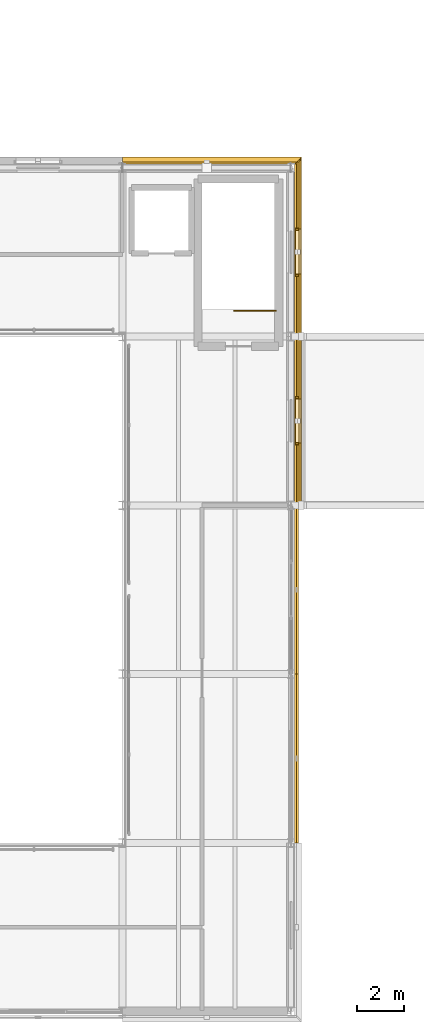
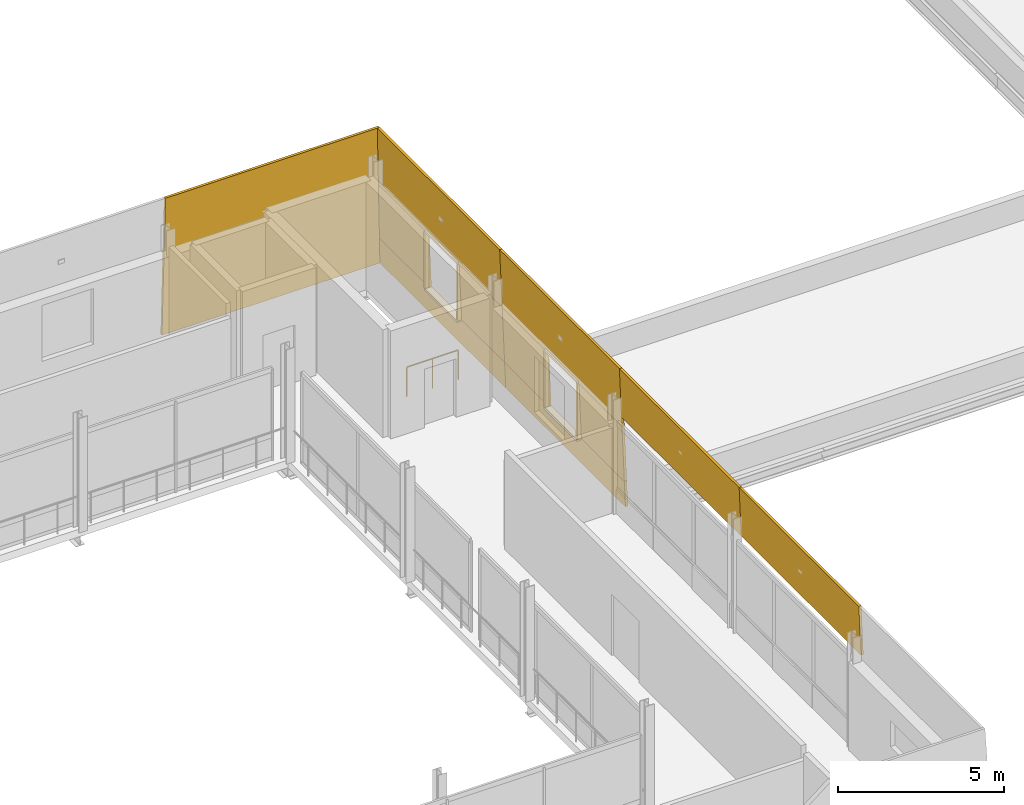
# One storey, part 88 of 91: 19 coverings, 1 railing.
"""IFC4 building model written with IfcOpenShell, lengths in metres."""

from ifc_helpers import new_model, si_unit, direction, frame, origin, origin_2d, place, context, subcontext, project, spatial, polyline, circle, outline, extrude, material, layer, layer_set, type_object, element, save


model = new_model("IFC4")

# Units and contexts
model_context = context("Model", 3, precision=1e-05, world=origin(), true_north=direction((0.0, 1.0)))
body_context = subcontext(model_context, "Body", "Model", "MODEL_VIEW")
ifc_project = project(units=[si_unit("LENGTHUNIT", "METRE"), si_unit("AREAUNIT", "SQUARE_METRE"), si_unit("VOLUMEUNIT", "CUBIC_METRE"), si_unit("PLANEANGLEUNIT", "RADIAN"), si_unit("MASSUNIT", "GRAM", prefix="KILO")], contexts=[model_context])

# Site, building, storey
site_placement = place(None, origin())
site = spatial("IfcSite", under=ifc_project, at=site_placement, CompositionType="ELEMENT")
building_placement = place(site_placement, origin())
building = spatial("IfcBuilding", under=site, at=building_placement, Name="Narikvali Park Central Library", CompositionType="ELEMENT")
storey_placement = place(building_placement, frame((0.0, 0.0, 14.39990234375)))
storey = spatial("IfcBuildingStorey", under=building, at=storey_placement, Name="L03", CompositionType="ELEMENT", Elevation=14.39990234375)

# Coverings
ifc_material_1 = material(Name="White Honed Limestone Cladding", Category="masonry")
ifc_layer_1 = layer(ifc_material_1, 0.0849609375, Name="White Honed Limestone Cladding")
ifc_layer_set_1 = layer_set([ifc_layer_1], Name="White Honed Limestone Cladding")
covering_type_1 = type_object("IfcCoveringType", Name="Battered White Limestone Facade Cladding Panel", PredefinedType="CLADDING", material=ifc_layer_set_1)
for number, where, z_axis, x_axis, name in (
    (1, (101.114013671875, 64.800048828125, 3.340087890625), (0.999165922357, 0.0, 0.040834539314), (0.0, 1.0, 0.0), "V1 L03 E Battered Limestone Spandrel Header B02"),
    (2, (101.114013671875, 72.0, 3.340087890625), (0.999165922357, 0.0, 0.040834539314), (0.0, 1.0, 0.0), "V1 L03 E Battered Limestone Spandrel Header B03"),
):
    element("IfcCovering", number, at=place(storey_placement, frame(where, z_axis=z_axis, x_axis=x_axis)), inside=storey, type_object=covering_type_1, Name=name, PredefinedType="CLADDING", context=body_context, shape_type="SweptSolid", body=[
        extrude(outline(polyline([(0.0, 0.0), (7.199951171875, 0.0), (7.199951171875, 1.8115695834387404), (0.0, 1.8115695834387404), (0.0, 0.0)])), origin(), (0.0, 0.0, -1.0), 0.0849609375),
    ])
covering_1_placement = place(storey_placement, frame((101.250732421875, 79.199951171875, 0.0), z_axis=(0.999166557991, 0.0, 0.040818983227), x_axis=(0.0, 1.0, 0.0)))
element("IfcCovering", 3, at=covering_1_placement, inside=storey, type_object=covering_type_1, Name="V1 L03 E Battered Limestone Spandrel B04", PredefinedType="CLADDING", context=body_context, shape_type="SweptSolid", body=[
    extrude(outline(polyline([(0.0, 0.0), (7.199951171875, 0.0), (7.199951171875, 0.9509879057703833), (0.0, 0.9509879057703833), (0.0, 0.0)])), origin(), (0.0, 0.0, -1.0), 0.0849609375),
])
covering_2_placement = place(storey_placement, frame((101.1279296875, 79.199951171875, 3.0), z_axis=(0.999165598292, 0.0, 0.040842467967), x_axis=(0.0, 1.0, 0.0)))
element("IfcCovering", 4, at=covering_2_placement, inside=storey, type_object=covering_type_1, Name="V1 L03 E Battered Limestone Lintel B04", PredefinedType="CLADDING", context=body_context, shape_type="SweptSolid", body=[
    extrude(outline(polyline([(0.0, 0.0), (7.199951171875, 0.0), (7.199951171875, 2.1519420685123154), (0.0, 2.1519420685123154), (0.0, 0.0)])), origin(), (0.0, 0.0, -1.0), 0.0849609375),
])
covering_3_placement = place(storey_placement, frame((101.2119140625, 79.199951171875, 0.9501953125), z_axis=(0.99916170734, 0.0, 0.040937544941), x_axis=(0.0, 1.0, 0.0)))
element("IfcCovering", 5, at=covering_3_placement, inside=storey, type_object=covering_type_1, Name="V1 L03 E Battered Limestone Jamb Pier L B04", PredefinedType="CLADDING", context=body_context, shape_type="SweptSolid", body=[
    extrude(outline(polyline([(0.0, 0.0), (2.66015625, 0.0), (2.66015625, 2.05152446540155), (0.0, 2.05152446540155), (0.0, 0.0)])), origin(), (0.0, 0.0, -1.0), 0.0849609375),
])
covering_4_placement = place(storey_placement, frame((101.2119140625, 83.739990234375, 0.9501953125), z_axis=(0.99916170734, 0.0, 0.040937544941), x_axis=(0.0, 1.0, 0.0)))
element("IfcCovering", 6, at=covering_4_placement, inside=storey, type_object=covering_type_1, Name="V1 L03 E Battered Limestone Jamb Pier R B04", PredefinedType="CLADDING", context=body_context, shape_type="SweptSolid", body=[
    extrude(outline(polyline([(0.0, 0.0), (2.659912109375, 0.0), (2.659912109375, 2.05152446540155), (0.0, 2.05152446540155), (0.0, 0.0)])), origin(), (0.0, 0.0, -1.0), 0.0849609375),
])
covering_5_placement = place(storey_placement, frame((101.250732421875, 86.39990234375, 0.0), z_axis=(0.999166557991, 0.0, 0.040818983227), x_axis=(0.0, 1.0, 0.0)))
element("IfcCovering", 7, at=covering_5_placement, inside=storey, type_object=covering_type_1, Name="V1 L03 E Battered Limestone Spandrel B05", PredefinedType="CLADDING", context=body_context, shape_type="SweptSolid", body=[
    extrude(outline(polyline([(0.0, 0.0), (7.56591796875, 0.0), (7.527099609375, 0.9509879057703833), (0.0, 0.9509879057703833), (0.0, 0.0)])), origin(), (0.0, 0.0, -1.0), 0.0849609375),
])
covering_6_placement = place(storey_placement, frame((101.1279296875, 86.39990234375, 3.0), z_axis=(0.999165598292, 0.0, 0.040842467967), x_axis=(0.0, 1.0, 0.0)))
element("IfcCovering", 8, at=covering_6_placement, inside=storey, type_object=covering_type_1, Name="V1 L03 E Battered Limestone Lintel B05", PredefinedType="CLADDING", context=body_context, shape_type="SweptSolid", body=[
    extrude(outline(polyline([(0.0, 0.0), (7.443115234375, 0.0), (7.35498046875, 2.1519420685123154), (0.0, 2.1519420685123154), (0.0, 0.0)])), origin(), (0.0, 0.0, -1.0), 0.0849609375),
])
covering_7_placement = place(storey_placement, frame((101.2119140625, 86.39990234375, 0.9501953125), z_axis=(0.99916170734, 0.0, 0.040937544941), x_axis=(0.0, 1.0, 0.0)))
element("IfcCovering", 9, at=covering_7_placement, inside=storey, type_object=covering_type_1, Name="V1 L03 E Battered Limestone Jamb Pier L B05", PredefinedType="CLADDING", context=body_context, shape_type="SweptSolid", body=[
    extrude(outline(polyline([(0.0, 0.0), (2.66015625, 0.0), (2.66015625, 2.05152446540155), (0.0, 2.05152446540155), (0.0, 0.0)])), origin(), (0.0, 0.0, -1.0), 0.0849609375),
])
covering_8_placement = place(storey_placement, frame((101.2119140625, 90.93994140625, 0.9501953125), z_axis=(0.99916170734, 0.0, 0.040937544941), x_axis=(0.0, 1.0, 0.0)))
element("IfcCovering", 10, at=covering_8_placement, inside=storey, type_object=covering_type_1, Name="V1 L03 E Battered Limestone Jamb Pier R B05", PredefinedType="CLADDING", context=body_context, shape_type="SweptSolid", body=[
    extrude(outline(polyline([(0.0, 0.0), (2.987060546875, 0.0), (2.903076171875, 2.0515244654015494), (0.0, 2.0515244654015494), (0.0, 0.0)])), origin(), (0.0, 0.0, -1.0), 0.0849609375),
])
covering_9_placement = place(storey_placement, frame((101.250732421875, 94.05078125, 0.0), z_axis=(0.0, 0.999164228006, 0.040875976713), x_axis=(-1.0, 0.0, 0.0)))
element("IfcCovering", 11, at=covering_9_placement, inside=storey, type_object=covering_type_1, Name="V1 L03 N Battered Limestone Panel B01", PredefinedType="CLADDING", context=body_context, shape_type="SweptSolid", body=[
    extrude(outline(polyline([(0.0, 0.0), (7.650634765625, 0.0), (7.650634765625, 5.15445443303216), (0.210693359375, 5.15445443303216), (0.0, 0.0)])), origin(), (0.0, 0.0, -1.0), 0.0849609375),
])
ifc_layer_2 = layer(ifc_material_1, 0.080078125, Name="White Honed Limestone Cladding")
ifc_layer_set_2 = layer_set([ifc_layer_2], Name="White Honed Limestone Cladding")
covering_type_2 = type_object("IfcCoveringType", Name="Deep Carved White Limestone Window Reveal", PredefinedType="CLADDING", material=ifc_layer_set_2)
covering_10_placement = place(storey_placement, frame((0.0, 0.0, 3.0)))
element("IfcCovering", 12, at=covering_10_placement, inside=storey, type_object=covering_type_2, Name="Deep Stone Reveal Head V1-RVL-L03-E-B04", PredefinedType="CLADDING", context=body_context, shape_type="SweptSolid", body=[
    extrude(outline(polyline([(100.985107421875, 81.820068359375), (100.985107421875, 83.780029296875), (101.1279296875, 83.780029296875), (101.1279296875, 81.820068359375), (100.985107421875, 81.820068359375)])), origin(), (0.0, 0.0, 1.0), 0.080078125),
])
covering_11_placement = place(storey_placement, frame((0.0, 0.0, 0.8701171875)))
element("IfcCovering", 13, at=covering_11_placement, inside=storey, type_object=covering_type_2, Name="Deep Stone Reveal Sill V1-RVL-L03-E-B04", PredefinedType="CLADDING", context=body_context, shape_type="SweptSolid", body=[
    extrude(outline(polyline([(100.985107421875, 81.820068359375), (100.985107421875, 83.780029296875), (101.2119140625, 83.780029296875), (101.2119140625, 81.820068359375), (100.985107421875, 81.820068359375)])), origin(), (0.0, 0.0, 1.0), 0.080078125),
])
covering_12_placement = place(storey_placement, frame((0.0, 0.0, 0.9501953125)))
element("IfcCovering", 14, at=covering_12_placement, inside=storey, type_object=covering_type_2, Name="Deep Stone Reveal Jamb L V1-RVL-L03-E-B04", PredefinedType="CLADDING", context=body_context, shape_type="SweptSolid", body=[
    extrude(outline(polyline([(100.985107421875, 81.780029296875), (100.985107421875, 81.860107421875), (101.1279296875, 81.860107421875), (101.1279296875, 81.780029296875), (100.985107421875, 81.780029296875)])), origin(), (0.0, 0.0, 1.0), 2.0498046875),
])
covering_13_placement = place(storey_placement, frame((0.0, 0.0, 0.9501953125)))
element("IfcCovering", 15, at=covering_13_placement, inside=storey, type_object=covering_type_2, Name="Deep Stone Reveal Jamb R V1-RVL-L03-E-B04", PredefinedType="CLADDING", context=body_context, shape_type="SweptSolid", body=[
    extrude(outline(polyline([(100.985107421875, 83.739990234375), (100.985107421875, 83.820068359375), (101.1279296875, 83.820068359375), (101.1279296875, 83.739990234375), (100.985107421875, 83.739990234375)])), origin(), (0.0, 0.0, 1.0), 2.0498046875),
])
covering_14_placement = place(storey_placement, frame((0.0, 0.0, 3.0)))
element("IfcCovering", 16, at=covering_14_placement, inside=storey, type_object=covering_type_2, Name="Deep Stone Reveal Head V1-RVL-L03-E-B05", PredefinedType="CLADDING", context=body_context, shape_type="SweptSolid", body=[
    extrude(outline(polyline([(100.985107421875, 89.02001953125), (100.985107421875, 90.97998046875), (101.1279296875, 90.97998046875), (101.1279296875, 89.02001953125), (100.985107421875, 89.02001953125)])), origin(), (0.0, 0.0, 1.0), 0.080078125),
])
covering_15_placement = place(storey_placement, frame((0.0, 0.0, 0.8701171875)))
element("IfcCovering", 17, at=covering_15_placement, inside=storey, type_object=covering_type_2, Name="Deep Stone Reveal Sill V1-RVL-L03-E-B05", PredefinedType="CLADDING", context=body_context, shape_type="SweptSolid", body=[
    extrude(outline(polyline([(100.985107421875, 89.02001953125), (100.985107421875, 90.97998046875), (101.2119140625, 90.97998046875), (101.2119140625, 89.02001953125), (100.985107421875, 89.02001953125)])), origin(), (0.0, 0.0, 1.0), 0.080078125),
])
covering_16_placement = place(storey_placement, frame((0.0, 0.0, 0.9501953125)))
element("IfcCovering", 18, at=covering_16_placement, inside=storey, type_object=covering_type_2, Name="Deep Stone Reveal Jamb L V1-RVL-L03-E-B05", PredefinedType="CLADDING", context=body_context, shape_type="SweptSolid", body=[
    extrude(outline(polyline([(100.985107421875, 88.97998046875), (100.985107421875, 89.06005859375), (101.1279296875, 89.06005859375), (101.1279296875, 88.97998046875), (100.985107421875, 88.97998046875)])), origin(), (0.0, 0.0, 1.0), 2.0498046875),
])
covering_17_placement = place(storey_placement, frame((0.0, 0.0, 0.9501953125)))
element("IfcCovering", 19, at=covering_17_placement, inside=storey, type_object=covering_type_2, Name="Deep Stone Reveal Jamb R V1-RVL-L03-E-B05", PredefinedType="CLADDING", context=body_context, shape_type="SweptSolid", body=[
    extrude(outline(polyline([(100.985107421875, 90.93994140625), (100.985107421875, 91.02001953125), (101.1279296875, 91.02001953125), (101.1279296875, 90.93994140625), (100.985107421875, 90.93994140625)])), origin(), (0.0, 0.0, 1.0), 2.0498046875),
])

# Railing
ifc_material_2 = material(Name="Powder-Coated Steel S275", Category="steel")
ifc_layer_3 = layer(ifc_material_2, 0.050048828125, Name="Powder-Coated Steel S275")
ifc_layer_set_3 = layer_set([ifc_layer_3], Name="Powder-Coated Steel S275")
railing_type = type_object("IfcRailingType", Name="Stair Well Steel Guardrail 1100", PredefinedType="GUARDRAIL", material=ifc_layer_set_3)
railing_placement = place(storey_placement, frame((100.14990234375, 87.5, 0.0)))
element("IfcRailing", 20, at=railing_placement, inside=storey, type_object=railing_type, Name="L03 ST-02 top well guard 1", PredefinedType="GUARDRAIL", context=body_context, shape_type="SweptSolid", body=[
    extrude(circle(Radius=0.02392578125, at=origin_2d()), frame((0.0, 0.0, 1.076171875), z_axis=(-1.0, 0.0, 0.0), x_axis=(0.0, -1.0, 0.0)), (0.0, 0.0, 1.0), 1.77978515625),
    extrude(circle(Radius=0.02099609375, at=origin_2d()), origin(), (0.0, 0.0, 1.0), 1.052001953125),
    extrude(circle(Radius=0.02099609375, at=origin_2d()), frame((-0.889892578125, 0.0, 0.0)), (0.0, 0.0, 1.0), 1.052001953125),
    extrude(circle(Radius=0.02099609375, at=origin_2d()), frame((-1.77978515625, 0.0, 0.0)), (0.0, 0.0, 1.0), 1.052001953125),
])

save(model, "model.ifc")
